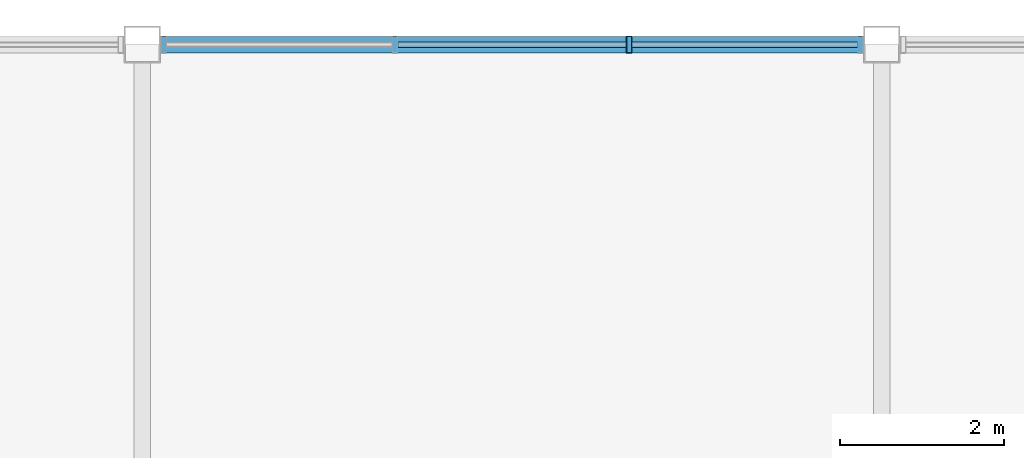
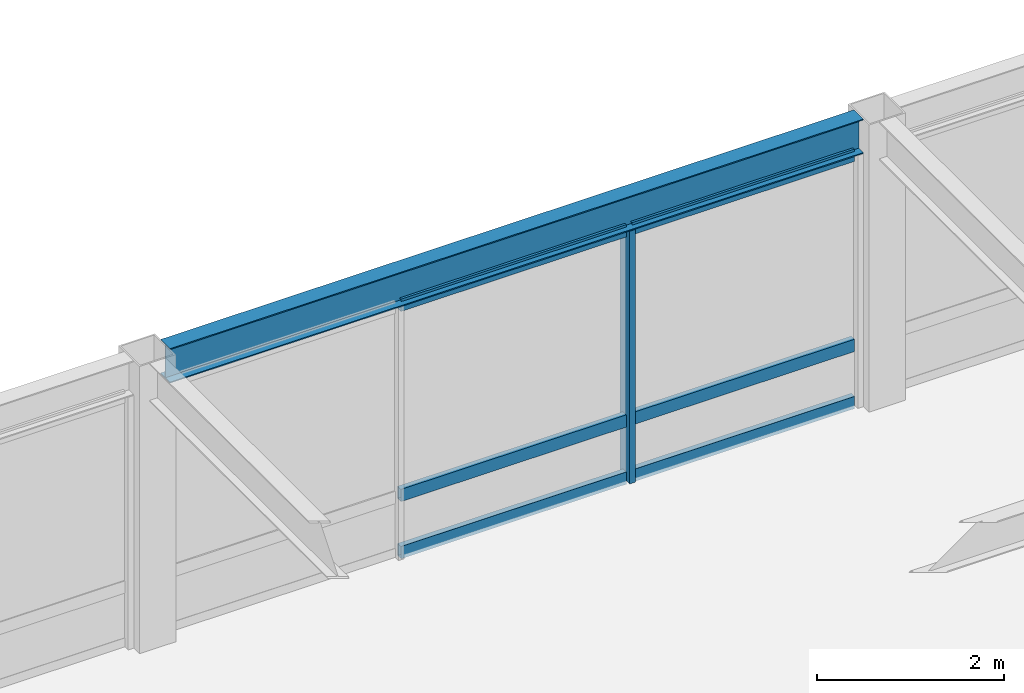
# One storey, part 70 of 113: 7 members, 1 beam, 1 element without a shape of its own.
"""IFC4 building model written with IfcOpenShell, lengths in metres."""

from ifc_helpers import new_model, si_unit, direction, frame, origin, origin_2d, place, context, subcontext, project, spatial, hollow_rectangle, i_section, extrude, material, material_profile, profile_set, type_object, element, aggregate, save


model = new_model("IFC4")

# Units and contexts
model_context = context("Model", 3, precision=1e-05, world=origin(), true_north=direction((0.0, 1.0)))
body_context = subcontext(model_context, "Body", "Model", "MODEL_VIEW")
ifc_project = project(units=[si_unit("LENGTHUNIT", "METRE"), si_unit("AREAUNIT", "SQUARE_METRE"), si_unit("VOLUMEUNIT", "CUBIC_METRE"), si_unit("PLANEANGLEUNIT", "RADIAN"), si_unit("MASSUNIT", "GRAM", prefix="KILO")], contexts=[model_context])

# Site, building, storey
site_placement = place(None, origin())
site = spatial("IfcSite", under=ifc_project, at=site_placement, CompositionType="ELEMENT")
building_placement = place(site_placement, origin())
building = spatial("IfcBuilding", under=site, at=building_placement, Name="Kazanami Central Library", CompositionType="ELEMENT")
storey_placement = place(building_placement, frame((0.0, 0.0, 8.800048828125)))
storey = spatial("IfcBuildingStorey", under=building, at=storey_placement, Name="L03", CompositionType="ELEMENT", Elevation=8.800048828125)

# Beam
ifc_material_1 = material(Name="Steel SN490B (325 MPa)", Category="steel")
ifc_material_profile_1 = material_profile(ifc_material_1, i_section(OverallWidth=0.199951171875, OverallDepth=0.449951171875, WebThickness=0.009033203125, FlangeThickness=0.013916015625, at=origin_2d()), Name="H-450x200x9x14")
ifc_profile_set_1 = profile_set([ifc_material_profile_1], Name="Steel SN490B (325 MPa)")
beam_type = type_object("IfcBeamType", Name="BM-SP-2", PredefinedType="SPANDREL", material=ifc_profile_set_1)
beam_placement = place(storey_placement, frame((72.222900390625, 93.60009765625, 3.52001953125), z_axis=(1.0, 0.0, 0.0), x_axis=(0.0, 1.0, 0.0)))
element("IfcBeam", 1, at=beam_placement, inside=storey, type_object=beam_type, Name="Girder SP-2 L03 O/9-10", PredefinedType="SPANDREL", context=body_context, shape_type="SweptSolid", body=[
    extrude(i_section(OverallWidth=0.199951171875, OverallDepth=0.449951171875, WebThickness=0.009033203125, FlangeThickness=0.013916015625, at=origin_2d()), origin(), (0.0, 0.0, 1.0), 8.55419921875),
])

# Curtain wall, members
ifc_material_2 = material(Name="Acid-Etched Low-E Laminated Glass", Category="glass")
curtain_wall_type = type_object("IfcCurtainWallType", Name="CW-8550x3295-M275", PredefinedType="USERDEFINED", material=ifc_material_2)
curtain_wall_placement = place(storey_placement, origin())
curtain_wall = element("IfcCurtainWall", 2, at=curtain_wall_placement, inside=storey, type_object=curtain_wall_type, Name="Unitised Curtain Wall CW-30 L03 N-O-08", ObjectType="UNITISED CURTAIN WALL", PredefinedType="USERDEFINED")
ifc_material_3 = material(Name="Anodised Aluminium A6063-T5", Category="aluminium")
ifc_material_profile_2 = material_profile(ifc_material_3, hollow_rectangle(XDim=0.070068359375, YDim=0.2099609375, WallThickness=0.0048828125, at=origin_2d()), Name="ALU-MULL-70x210x5")
ifc_profile_set_2 = profile_set([ifc_material_profile_2], Name="Anodised Aluminium A6063-T5")
member_type_1 = type_object("IfcMemberType", Name="MEM-CW-M1", PredefinedType="MULLION", material=ifc_profile_set_2)
member_1_placement = place(storey_placement, frame((77.925048828125, 93.60009765625, 0.0), z_axis=(0.0, 0.0, 1.0), x_axis=(-1.0, 0.0, 0.0)))
member_1 = element("IfcMember", 3, at=member_1_placement, type_object=member_type_1, Name="CW-30 mullion 2", PredefinedType="MULLION", context=body_context, shape_type="SweptSolid", body=[
    extrude(hollow_rectangle(XDim=0.070068359375, YDim=0.2099609375, WallThickness=0.0048828125, at=origin_2d()), origin(), (0.0, 0.0, 1.0), 3.294921875),
])
ifc_material_profile_3 = material_profile(ifc_material_3, hollow_rectangle(XDim=0.070068359375, YDim=0.159912109375, WallThickness=0.00390625, at=origin_2d()), Name="ALU-TRAN-70x160x4")
ifc_profile_set_3 = profile_set([ifc_material_profile_3], Name="Anodised Aluminium A6063-T5")
member_type_2 = type_object("IfcMemberType", Name="MEM-CW-T1", PredefinedType="USERDEFINED", material=ifc_profile_set_3)
member_2_placement = place(storey_placement, frame((80.705078125, 93.60009765625, 0.034912109375), z_axis=(-1.0, 0.0, 0.0), x_axis=(0.0, -1.0, 0.0)))
member_2 = element("IfcMember", 4, at=member_2_placement, type_object=member_type_2, Name="CW-30 transom 1.1", ObjectType="TRANSOM", PredefinedType="USERDEFINED", context=body_context, shape_type="SweptSolid", body=[
    extrude(hollow_rectangle(XDim=0.070068359375, YDim=0.159912109375, WallThickness=0.00390625, at=origin_2d()), origin(), (0.0, 0.0, 1.0), 2.7451171875),
])
member_3_placement = place(storey_placement, frame((80.705078125, 93.60009765625, 0.780029296875), z_axis=(-1.0, 0.0, 0.0), x_axis=(0.0, -1.0, 0.0)))
member_3 = element("IfcMember", 5, at=member_3_placement, type_object=member_type_2, Name="CW-30 transom 1.2", ObjectType="TRANSOM", PredefinedType="USERDEFINED", context=body_context, shape_type="SweptSolid", body=[
    extrude(hollow_rectangle(XDim=0.070068359375, YDim=0.159912109375, WallThickness=0.00390625, at=origin_2d()), origin(), (0.0, 0.0, 1.0), 2.7451171875),
])
member_4_placement = place(storey_placement, frame((80.705078125, 93.60009765625, 3.260009765625), z_axis=(-1.0, 0.0, 0.0), x_axis=(0.0, -1.0, 0.0)))
member_4 = element("IfcMember", 6, at=member_4_placement, type_object=member_type_2, Name="CW-30 transom 1.3", ObjectType="TRANSOM", PredefinedType="USERDEFINED", context=body_context, shape_type="SweptSolid", body=[
    extrude(hollow_rectangle(XDim=0.070068359375, YDim=0.159912109375, WallThickness=0.00390625, at=origin_2d()), origin(), (0.0, 0.0, 1.0), 2.7451171875),
])
member_5_placement = place(storey_placement, frame((77.889892578125, 93.60009765625, 0.034912109375), z_axis=(-1.0, 0.0, 0.0), x_axis=(0.0, -1.0, 0.0)))
member_5 = element("IfcMember", 7, at=member_5_placement, type_object=member_type_2, Name="CW-30 transom 2.1", ObjectType="TRANSOM", PredefinedType="USERDEFINED", context=body_context, shape_type="SweptSolid", body=[
    extrude(hollow_rectangle(XDim=0.070068359375, YDim=0.159912109375, WallThickness=0.00390625, at=origin_2d()), origin(), (0.0, 0.0, 1.0), 2.77978515625),
])
member_6_placement = place(storey_placement, frame((77.889892578125, 93.60009765625, 0.780029296875), z_axis=(-1.0, 0.0, 0.0), x_axis=(0.0, -1.0, 0.0)))
member_6 = element("IfcMember", 8, at=member_6_placement, type_object=member_type_2, Name="CW-30 transom 2.2", ObjectType="TRANSOM", PredefinedType="USERDEFINED", context=body_context, shape_type="SweptSolid", body=[
    extrude(hollow_rectangle(XDim=0.070068359375, YDim=0.159912109375, WallThickness=0.00390625, at=origin_2d()), origin(), (0.0, 0.0, 1.0), 2.77978515625),
])
member_7_placement = place(storey_placement, frame((77.889892578125, 93.60009765625, 3.260009765625), z_axis=(-1.0, 0.0, 0.0), x_axis=(0.0, -1.0, 0.0)))
member_7 = element("IfcMember", 9, at=member_7_placement, type_object=member_type_2, Name="CW-30 transom 2.3", ObjectType="TRANSOM", PredefinedType="USERDEFINED", context=body_context, shape_type="SweptSolid", body=[
    extrude(hollow_rectangle(XDim=0.070068359375, YDim=0.159912109375, WallThickness=0.00390625, at=origin_2d()), origin(), (0.0, 0.0, 1.0), 2.77978515625),
])
aggregate(curtain_wall, [member_1, member_2, member_3, member_4, member_5, member_6, member_7])

save(model, "model.ifc")
